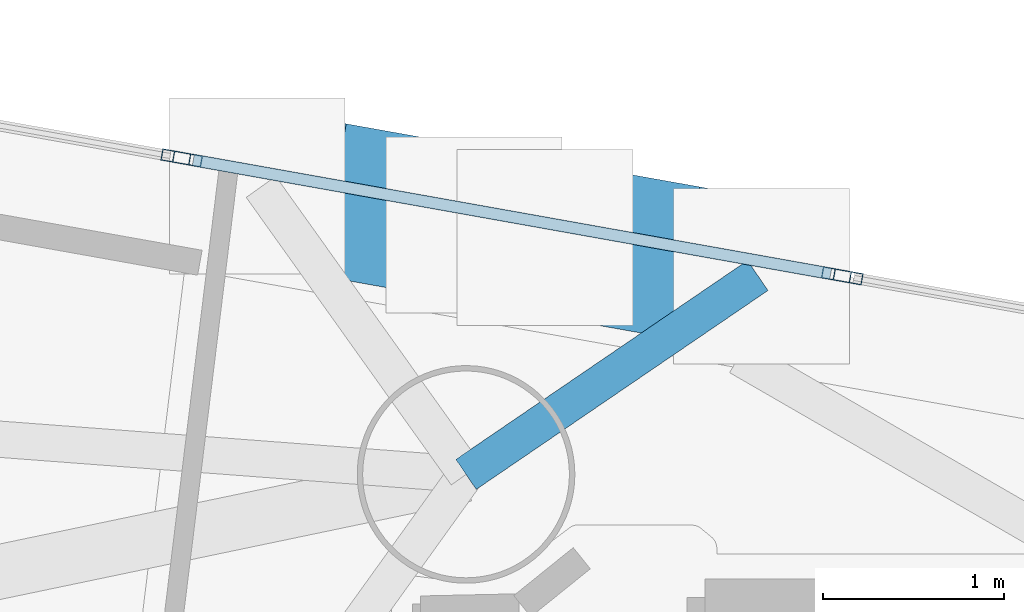
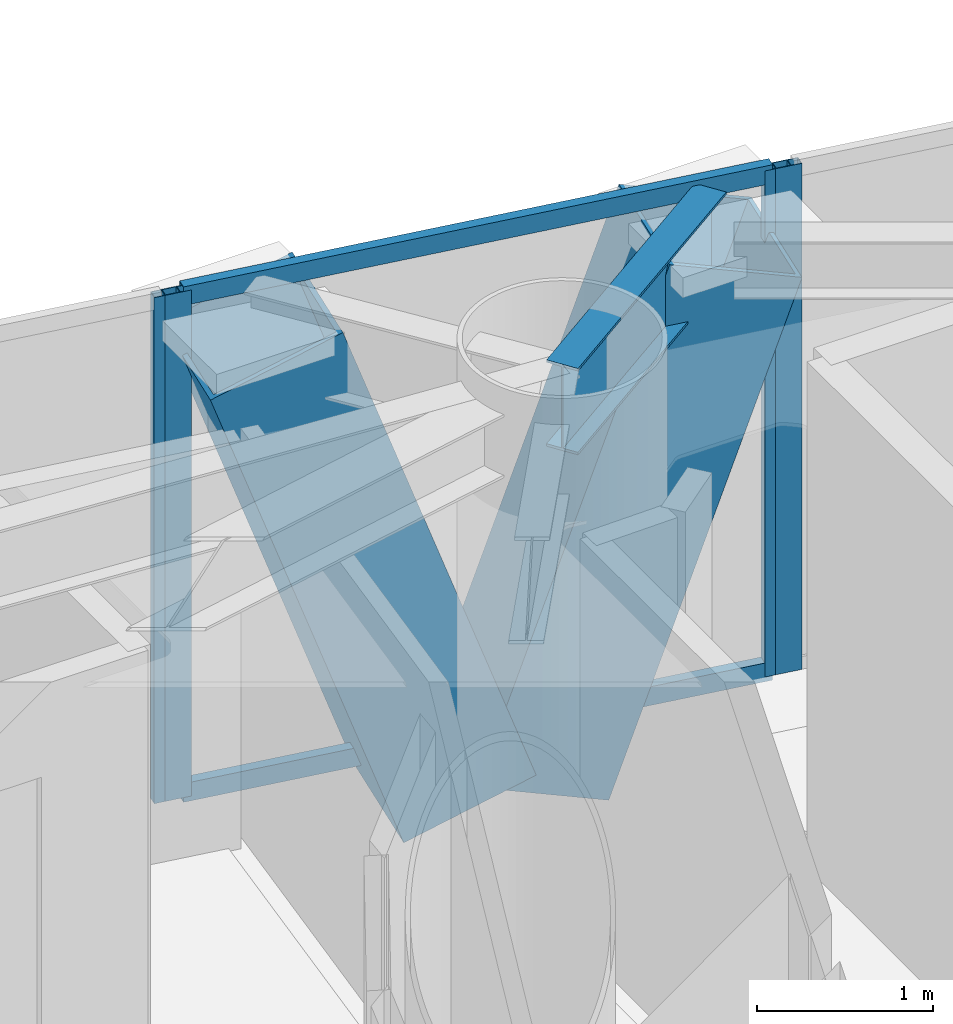
# One storey, part 12 of 22: 8 members, 1 beam, 3 elements without a shape of their own.
"""IFC4 building model written with IfcOpenShell, lengths in metres."""

from ifc_helpers import new_model, si_unit, direction, frame, origin, origin_2d, place, context, subcontext, project, spatial, hollow_rectangle, i_section, extrude, material, layer, layer_set, material_profile, profile_set, type_object, element, aggregate, save


model = new_model("IFC4")

# Units and contexts
model_context = context("Model", 3, precision=1e-05, world=origin(), true_north=direction((0.0, 1.0)))
body_context = subcontext(model_context, "Body", "Model", "MODEL_VIEW")
ifc_project = project(units=[si_unit("LENGTHUNIT", "METRE"), si_unit("AREAUNIT", "SQUARE_METRE"), si_unit("VOLUMEUNIT", "CUBIC_METRE"), si_unit("PLANEANGLEUNIT", "RADIAN"), si_unit("MASSUNIT", "GRAM", prefix="KILO")], contexts=[model_context])

# Site, building, storey
site_placement = place(None, origin())
site = spatial("IfcSite", under=ifc_project, at=site_placement, CompositionType="ELEMENT")
building_placement = place(site_placement, origin())
building = spatial("IfcBuilding", under=site, at=building_placement, Name="Qianvela Tower", CompositionType="ELEMENT")
storey_placement = place(building_placement, frame((0.0, 0.0, 207.699951171875)))
storey = spatial("IfcBuildingStorey", under=building, at=storey_placement, Name="L53", CompositionType="ELEMENT", Elevation=207.699951171875)

# Beam
ifc_material_1 = material(Name="Steel Q355B", Category="steel")
ifc_material_profile_1 = material_profile(ifc_material_1, i_section(OverallWidth=0.199951171875, OverallDepth=0.60009765625, WebThickness=0.010986328125, FlangeThickness=0.01708984375, at=origin_2d()), Name="HN600x200x11x17")
ifc_profile_set_1 = profile_set([ifc_material_profile_1], Name="Steel Q355B")
beam_type = type_object("IfcBeamType", Name="BM-HN600-GIRD", PredefinedType="BEAM", material=ifc_profile_set_1)
beam_placement = place(storey_placement, frame((40.131103515625, 35.9580078125, 3.218017578125), z_axis=(0.826216729484, 0.563352390535, 0.0), x_axis=(-0.563352390535, 0.826216729484, 0.0)))
element("IfcBeam", 1, at=beam_placement, inside=storey, type_object=beam_type, Name="L53 Mega-Brace Column Tie Bracket F1-1", PredefinedType="BEAM", context=body_context, shape_type="SweptSolid", body=[
    extrude(i_section(OverallWidth=0.199951171875, OverallDepth=0.60009765625, WebThickness=0.010986328125, FlangeThickness=0.01708984375, at=origin_2d()), origin(), (0.0, 0.0, 1.0), 1.94677734375),
])

# Curtain wall, members
ifc_material_2 = material(Name="Anodised Architectural Aluminium and Insulated Spandrel Panel", Category="aluminium")
ifc_layer_1 = layer(ifc_material_2, 0.179931640625)
ifc_layer_set_1 = layer_set([ifc_layer_1], Name="Anodised Architectural Aluminium and Insulated Spandrel Panel")
curtain_wall_type_1 = type_object("IfcCurtainWallType", Name="CW-BRACEBAY", PredefinedType="USERDEFINED", material=ifc_layer_set_1)
curtain_wall_1_placement = place(storey_placement, origin())
curtain_wall_1 = element("IfcCurtainWall", 2, at=curtain_wall_1_placement, inside=storey, type_object=curtain_wall_type_1, Name="L53 CW-BRACEBAY Curtain Wall 02B", ObjectType="CURTAIN_WALL_SYSTEM", PredefinedType="USERDEFINED")
ifc_material_3 = material(Name="Anodised Architectural Aluminium 6063-T6", Category="aluminium")
ifc_material_profile_2 = material_profile(ifc_material_3, hollow_rectangle(XDim=0.06494140625, YDim=0.159912109375, WallThickness=0.0048828125, at=origin_2d()), Name="ALU-MULL-65x160")
ifc_profile_set_2 = profile_set([ifc_material_profile_2], Name="Anodised Architectural Aluminium 6063-T6")
member_type_1 = type_object("IfcMemberType", Name="CW-BRACEBAY-MULL", PredefinedType="MULLION", material=ifc_profile_set_2)
member_1_placement = place(storey_placement, frame((42.173583984375, 37.05859375, 0.0), z_axis=(0.0, 0.0, 1.0), x_axis=(-0.175595131128, -0.984462467504, 0.0)))
member_1 = element("IfcMember", 3, at=member_1_placement, type_object=member_type_1, Name="CW-9 mullion 1", PredefinedType="MULLION", context=body_context, shape_type="SweptSolid", body=[
    extrude(hollow_rectangle(XDim=0.06494140625, YDim=0.159912109375, WallThickness=0.0048828125, at=origin_2d()), origin(), (0.0, 0.0, 1.0), 3.52001953125),
])
member_2_placement = place(storey_placement, frame((38.59521484375, 37.69677734375, 0.0), z_axis=(0.0, 0.0, 1.0), x_axis=(-0.175595131128, -0.984462467504, 0.0)))
member_2 = element("IfcMember", 4, at=member_2_placement, type_object=member_type_1, Name="CW-9 mullion 2", PredefinedType="MULLION", context=body_context, shape_type="SweptSolid", body=[
    extrude(hollow_rectangle(XDim=0.06494140625, YDim=0.159912109375, WallThickness=0.0048828125, at=origin_2d()), origin(), (0.0, 0.0, 1.0), 3.52001953125),
])
ifc_material_4 = material(Name="Anodised Architectural Aluminium 6063-T6", Category="aluminium")
ifc_material_profile_3 = material_profile(ifc_material_4, hollow_rectangle(XDim=0.06494140625, YDim=0.1298828125, WallThickness=0.00439453125, at=origin_2d()), Name="ALU-TRAN-65x130")
ifc_profile_set_3 = profile_set([ifc_material_profile_3], Name="Anodised Architectural Aluminium 6063-T6")
member_type_2 = type_object("IfcMemberType", Name="CW-BRACEBAY-TRAN", PredefinedType="USERDEFINED", material=ifc_profile_set_3)
member_3_placement = place(storey_placement, frame((42.1416015625, 37.064208984375, 0.032470703125), z_axis=(-0.984457571106, 0.175622580243, 0.0), x_axis=(-0.175622580243, -0.984457571106, 0.0)))
member_3 = element("IfcMember", 5, at=member_3_placement, type_object=member_type_2, Name="CW-9 transom 1.1", ObjectType="TRANSOM", PredefinedType="USERDEFINED", context=body_context, shape_type="SweptSolid", body=[
    extrude(hollow_rectangle(XDim=0.06494140625, YDim=0.1298828125, WallThickness=0.00439453125, at=origin_2d()), origin(), (0.0, 0.0, 1.0), 3.56982421875),
])
member_4_placement = place(storey_placement, frame((42.1416015625, 37.064208984375, 3.487548828125), z_axis=(-0.984457571106, 0.175622580243, 0.0), x_axis=(-0.175622580243, -0.984457571106, 0.0)))
member_4 = element("IfcMember", 6, at=member_4_placement, type_object=member_type_2, Name="CW-9 transom 1.2", ObjectType="TRANSOM", PredefinedType="USERDEFINED", context=body_context, shape_type="SweptSolid", body=[
    extrude(hollow_rectangle(XDim=0.06494140625, YDim=0.1298828125, WallThickness=0.00439453125, at=origin_2d()), origin(), (0.0, 0.0, 1.0), 3.56982421875),
])
aggregate(curtain_wall_1, [member_1, member_2, member_3, member_4])

# Curtain wall, member
ifc_material_5 = material(Name="Anodised Architectural Aluminium and Low-E Glass", Category="aluminium")
ifc_layer_2 = layer(ifc_material_5, 0.159912109375)
ifc_layer_set_2 = layer_set([ifc_layer_2], Name="Anodised Architectural Aluminium and Low-E Glass")
curtain_wall_type_2 = type_object("IfcCurtainWallType", Name="CW-COLIV-Z56", PredefinedType="USERDEFINED", material=ifc_layer_set_2)
curtain_wall_2_placement = place(storey_placement, origin())
curtain_wall_2 = element("IfcCurtainWall", 7, at=curtain_wall_2_placement, inside=storey, type_object=curtain_wall_type_2, Name="L53 CW-COLIV-Z56 Curtain Wall 02A", ObjectType="CURTAIN_WALL_SYSTEM", PredefinedType="USERDEFINED")
ifc_material_6 = material(Name="Anodised Architectural Aluminium 6063-T6", Category="aluminium")
ifc_material_profile_4 = material_profile(ifc_material_6, hollow_rectangle(XDim=0.06494140625, YDim=0.159912109375, WallThickness=0.0048828125, at=origin_2d()), Name="ALU-MULL-65x160")
ifc_profile_set_4 = profile_set([ifc_material_profile_4], Name="Anodised Architectural Aluminium 6063-T6")
member_type_3 = type_object("IfcMemberType", Name="CW-COLIV-Z56-MULL", PredefinedType="MULLION", material=ifc_profile_set_4)
member_5_placement = place(storey_placement, frame((42.23779296875, 37.047119140625, 0.0), z_axis=(0.0, 0.0, 1.0), x_axis=(-0.175588492248, -0.984463651635, 0.0)))
member_5 = element("IfcMember", 8, at=member_5_placement, type_object=member_type_3, Name="CW-5 mullion 3", PredefinedType="MULLION", context=body_context, shape_type="SweptSolid", body=[
    extrude(hollow_rectangle(XDim=0.06494140625, YDim=0.159912109375, WallThickness=0.0048828125, at=origin_2d()), origin(), (0.0, 0.0, 1.0), 3.52001953125),
])
aggregate(curtain_wall_2, [member_5])

curtain_wall_3_placement = place(storey_placement, origin())
curtain_wall_3 = element("IfcCurtainWall", 9, at=curtain_wall_3_placement, inside=storey, type_object=curtain_wall_type_2, Name="L53 CW-COLIV-Z56 Curtain Wall 02C", ObjectType="CURTAIN_WALL_SYSTEM", PredefinedType="USERDEFINED")
member_6_placement = place(storey_placement, frame((38.53125, 37.708251953125, 0.0), z_axis=(0.0, 0.0, 1.0), x_axis=(-0.175586258949, -0.984464049962, 0.0)))
member_6 = element("IfcMember", 10, at=member_6_placement, type_object=member_type_3, Name="CW-5 mullion 1", PredefinedType="MULLION", context=body_context, shape_type="SweptSolid", body=[
    extrude(hollow_rectangle(XDim=0.06494140625, YDim=0.159912109375, WallThickness=0.0048828125, at=origin_2d()), origin(), (0.0, 0.0, 1.0), 3.52001953125),
])
aggregate(curtain_wall_3, [member_6])

# Members
ifc_material_7 = material(Name="Steel Q420GJC", Category="steel")
ifc_material_profile_5 = material_profile(ifc_material_7, hollow_rectangle(XDim=0.85009765625, YDim=0.85009765625, WallThickness=0.031982421875, at=origin_2d()), Name="MBOX-850x850x32")
ifc_profile_set_5 = profile_set([ifc_material_profile_5], Name="Steel Q420GJC")
member_type_4 = type_object("IfcMemberType", Name="MBR-MBRACE-850", PredefinedType="BRACE", material=ifc_profile_set_5)
for number, where, z_axis, x_axis, name in (
    (11, (40.586669921875, 37.26025390625, -0.139892578125), (0.324171645236, -0.057804431446, 0.944230582078), (0.175545294625, 0.984471355365, 0.0), "L53 Tier 9 Exterior Mega-Brace F1A"),
    (12, (40.153564453125, 37.33740234375, -0.139892578125), (-0.324170358052, 0.057872852994, 0.944226832836), (-0.175747344887, -0.984435305525, 0.0), "L53 Tier 9 Exterior Mega-Brace F1B"),
):
    element("IfcMember", number, at=place(storey_placement, frame(where, z_axis=z_axis, x_axis=x_axis)), inside=storey, type_object=member_type_4, Name=name, PredefinedType="BRACE", context=body_context, shape_type="SweptSolid", body=[
        extrude(hollow_rectangle(XDim=0.85009765625, YDim=0.85009765625, WallThickness=0.031982421875, at=origin_2d()), origin(), (0.0, 0.0, 1.0), 3.55615234375),
    ])

save(model, "model.ifc")
